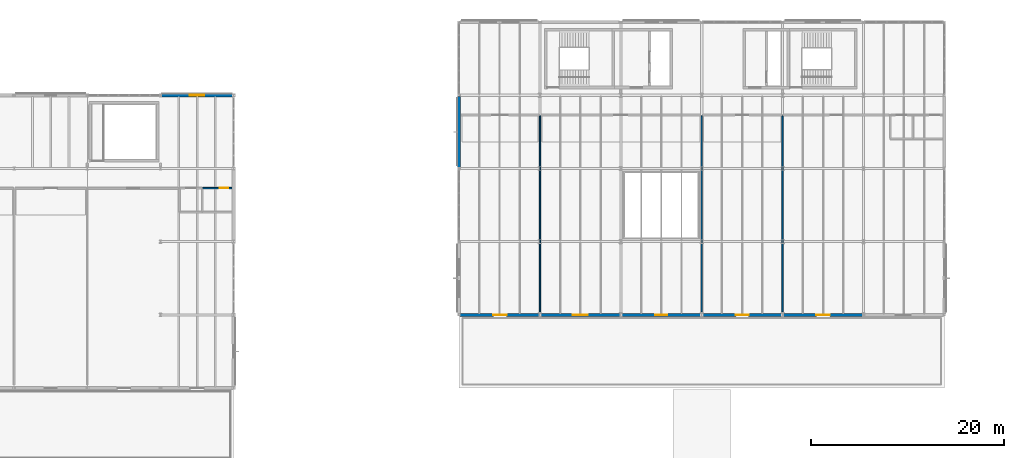
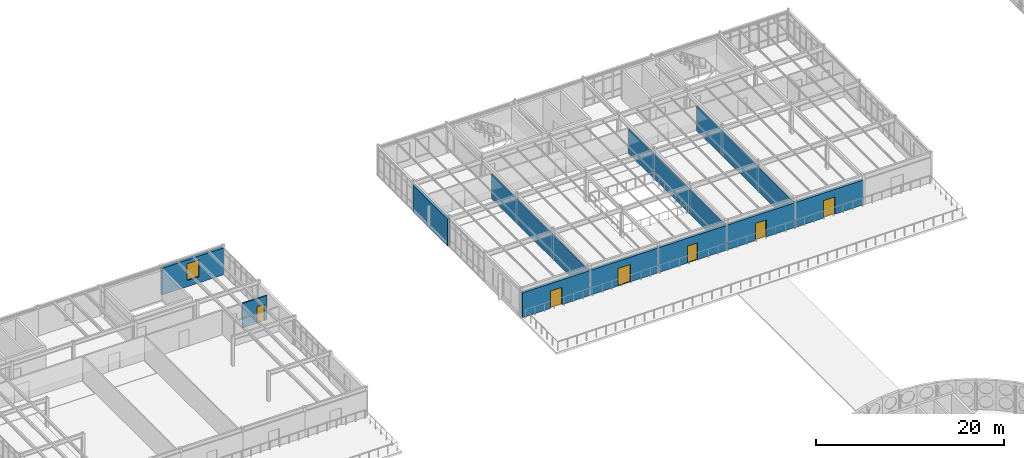
# One storey, part 91 of 114: 11 walls, 6 doors, 1 window, 7 openings.
"""IFC4 building model written with IfcOpenShell, lengths in metres."""

from ifc_helpers import new_model, si_unit, direction, frame, frame_2d, origin, place, context, subcontext, project, spatial, rectangle, extrude, material, layer, layer_set, type_object, element, fill, save


model = new_model("IFC4")

# Units and contexts
model_context = context("Model", 3, precision=1e-05, world=origin(), true_north=direction((0.0, 1.0)))
body_context = subcontext(model_context, "Body", "Model", "MODEL_VIEW")
ifc_project = project(units=[si_unit("LENGTHUNIT", "METRE"), si_unit("AREAUNIT", "SQUARE_METRE"), si_unit("VOLUMEUNIT", "CUBIC_METRE"), si_unit("PLANEANGLEUNIT", "RADIAN"), si_unit("MASSUNIT", "GRAM", prefix="KILO")], contexts=[model_context])

# Site, building, storey
site_placement = place(None, origin())
site = spatial("IfcSite", under=ifc_project, at=site_placement, CompositionType="ELEMENT")
building_placement = place(site_placement, origin())
building = spatial("IfcBuilding", under=site, at=building_placement, Name="Montecoro Central Library", CompositionType="ELEMENT")
storey_placement = place(building_placement, frame((0.0, 0.0, 13.260009765625)))
storey = spatial("IfcBuildingStorey", under=building, at=storey_placement, Name="L03", CompositionType="ELEMENT", Elevation=13.260009765625)

# Wall, opening, door
ifc_material_1 = material(Name="Roman travertine stone clad concrete C35/45", Category="masonry")
ifc_layer_1 = layer(ifc_material_1, 0.324951171875)
ifc_layer_set_1 = layer_set([ifc_layer_1], Name="Roman travertine stone clad concrete C35/45")
wall_type_1 = type_object("IfcWallType", Name="EW-TRV-325", PredefinedType="SOLIDWALL", material=ifc_layer_set_1)
wall_1_placement = place(storey_placement, frame((66.512939453125, 88.60009765625, 0.0), z_axis=(0.0, 0.0, 1.0), x_axis=(1.0, 0.0, 0.0)))
wall_1 = element("IfcWall", 1, at=wall_1_placement, inside=storey, type_object=wall_type_1, Name="V2-L03-EW-S0", PredefinedType="SOLIDWALL", context=body_context, shape_type="SweptSolid", body=[
    extrude(rectangle(XDim=8.281005859375, YDim=0.324951171875, at=frame_2d((4.140625, 0.0))), origin(), (0.0, 0.0, 1.0), 3.219970703125),
])
opening_1_placement = place(wall_1_placement, frame((3.44091796875, 0.0, 0.0)))
opening_1 = element("IfcOpeningElement", 2, at=opening_1_placement, cuts=wall_1, Name="Opening ED-07", PredefinedType="OPENING", context=body_context, shape_type="SweptSolid", body=[
    extrude(rectangle(XDim=1.39990234375, YDim=2.25, at=frame_2d((0.699951171875, 1.125))), frame((0.0, 0.17236328125, 0.0), z_axis=(0.0, -1.0, 0.0), x_axis=(1.0, 0.0, 0.0)), (0.0, 0.0, 1.0), 0.344970703125),
])
ifc_material_2 = material(Name="Thermally broken architectural bronze and safety glass", Category="glass")
door_type_1 = type_object("IfcDoorType", Name="ED-TER-140", OperationType="NOTDEFINED", PredefinedType="DOOR", material=ifc_material_2)
door_1_placement = place(opening_1_placement, origin())
door_1 = element("IfcDoor", 3, at=door_1_placement, inside=storey, type_object=door_type_1, Name="V2-L03-TD-S0", OperationType="SINGLE_SWING_RIGHT", OverallHeight=2.25, OverallWidth=1.39990234375, PredefinedType="DOOR", context=body_context, shape_type="SweptSolid", body=[
    extrude(rectangle(XDim=1.39990234375, YDim=2.25, at=frame_2d((0.699951171875, 1.125))), frame((0.0, 0.02490234375, 0.0), z_axis=(0.0, -1.0, 0.0), x_axis=(1.0, 0.0, 0.0)), (0.0, 0.0, 1.0), 0.050048828125),
])
fill(opening_1, door_1)

wall_2_placement = place(storey_placement, frame((74.805908203125, 88.60009765625, 0.0), z_axis=(0.0, 0.0, 1.0), x_axis=(1.0, 0.0, 0.0)))
wall_2 = element("IfcWall", 4, at=wall_2_placement, inside=storey, type_object=wall_type_1, Name="V2-L03-EW-S1", PredefinedType="SOLIDWALL", context=body_context, shape_type="SweptSolid", body=[
    extrude(rectangle(XDim=8.38818359375, YDim=0.324951171875, at=frame_2d((4.194091796875, 0.0))), origin(), (0.0, 0.0, 1.0), 3.219970703125),
])
opening_2_placement = place(wall_2_placement, frame((3.4189453125, 0.0, 0.0)))
opening_2 = element("IfcOpeningElement", 5, at=opening_2_placement, cuts=wall_2, Name="Opening ED-08", PredefinedType="OPENING", context=body_context, shape_type="SweptSolid", body=[
    extrude(rectangle(XDim=1.550048828125, YDim=2.280029296875, at=frame_2d((0.77490234375, 1.14013671875))), frame((0.0, 0.17236328125, 0.0), z_axis=(0.0, -1.0, 0.0), x_axis=(1.0, 0.0, 0.0)), (0.0, 0.0, 1.0), 0.344970703125),
])
door_type_2 = type_object("IfcDoorType", Name="ED-TER-155", OperationType="NOTDEFINED", PredefinedType="DOOR", material=ifc_material_2)
door_2_placement = place(opening_2_placement, origin())
door_2 = element("IfcDoor", 6, at=door_2_placement, inside=storey, type_object=door_type_2, Name="V2-L03-TD-S1", OperationType="SINGLE_SWING_LEFT", OverallHeight=2.280029296875, OverallWidth=1.550048828125, PredefinedType="DOOR", context=body_context, shape_type="SweptSolid", body=[
    extrude(rectangle(XDim=1.550048828125, YDim=2.280029296875, at=frame_2d((0.77490234375, 1.14013671875))), frame((0.0, 0.02490234375, 0.0), z_axis=(0.0, -1.0, 0.0), x_axis=(1.0, 0.0, 0.0)), (0.0, 0.0, 1.0), 0.050048828125),
])
fill(opening_2, door_2)

wall_3_placement = place(storey_placement, frame((83.2060546875, 88.60009765625, 0.0), z_axis=(0.0, 0.0, 1.0), x_axis=(1.0, 0.0, 0.0)))
wall_3 = element("IfcWall", 7, at=wall_3_placement, inside=storey, type_object=wall_type_1, Name="V2-L03-EW-S2", PredefinedType="SOLIDWALL", context=body_context, shape_type="SweptSolid", body=[
    extrude(rectangle(XDim=8.387939453125, YDim=0.324951171875, at=frame_2d((4.19384765625, 0.0))), origin(), (0.0, 0.0, 1.0), 3.219970703125),
])
opening_3_placement = place(wall_3_placement, frame((3.569091796875, 0.0, 0.0)))
opening_3 = element("IfcOpeningElement", 8, at=opening_3_placement, cuts=wall_3, Name="Opening ED-09", PredefinedType="OPENING", context=body_context, shape_type="SweptSolid", body=[
    extrude(rectangle(XDim=1.25, YDim=2.199951171875, at=frame_2d((0.625, 1.10009765625))), frame((0.0, 0.17236328125, 0.0), z_axis=(0.0, -1.0, 0.0), x_axis=(1.0, 0.0, 0.0)), (0.0, 0.0, 1.0), 0.344970703125),
])
door_type_3 = type_object("IfcDoorType", Name="ED-TER-125", OperationType="NOTDEFINED", PredefinedType="DOOR", material=ifc_material_2)
door_3_placement = place(opening_3_placement, origin())
door_3 = element("IfcDoor", 9, at=door_3_placement, inside=storey, type_object=door_type_3, Name="V2-L03-TD-S2", OperationType="SINGLE_SWING_RIGHT", OverallHeight=2.199951171875, OverallWidth=1.25, PredefinedType="DOOR", context=body_context, shape_type="SweptSolid", body=[
    extrude(rectangle(XDim=1.25, YDim=2.199951171875, at=frame_2d((0.625, 1.10009765625))), frame((0.0, 0.02490234375, 0.0), z_axis=(0.0, -1.0, 0.0), x_axis=(1.0, 0.0, 0.0)), (0.0, 0.0, 1.0), 0.050048828125),
])
fill(opening_3, door_3)

wall_4_placement = place(storey_placement, frame((91.60595703125, 88.60009765625, 0.0), z_axis=(0.0, 0.0, 1.0), x_axis=(1.0, 0.0, 0.0)))
wall_4 = element("IfcWall", 10, at=wall_4_placement, inside=storey, type_object=wall_type_1, Name="V2-L03-EW-S3", PredefinedType="SOLIDWALL", context=body_context, shape_type="SweptSolid", body=[
    extrude(rectangle(XDim=8.387939453125, YDim=0.324951171875, at=frame_2d((4.19384765625, 0.0))), origin(), (0.0, 0.0, 1.0), 3.219970703125),
])
opening_4_placement = place(wall_4_placement, frame((3.533935546875, 0.0, 0.0)))
opening_4 = element("IfcOpeningElement", 11, at=opening_4_placement, cuts=wall_4, Name="Opening ED-10", PredefinedType="OPENING", context=body_context, shape_type="SweptSolid", body=[
    extrude(rectangle(XDim=1.320068359375, YDim=2.219970703125, at=frame_2d((0.66015625, 1.10986328125))), frame((0.0, 0.17236328125, 0.0), z_axis=(0.0, -1.0, 0.0), x_axis=(1.0, 0.0, 0.0)), (0.0, 0.0, 1.0), 0.344970703125),
])
door_type_4 = type_object("IfcDoorType", Name="ED-TER-132", OperationType="NOTDEFINED", PredefinedType="DOOR", material=ifc_material_2)
door_4_placement = place(opening_4_placement, origin())
door_4 = element("IfcDoor", 12, at=door_4_placement, inside=storey, type_object=door_type_4, Name="V2-L03-TD-S3", OperationType="SINGLE_SWING_LEFT", OverallHeight=2.219970703125, OverallWidth=1.320068359375, PredefinedType="DOOR", context=body_context, shape_type="SweptSolid", body=[
    extrude(rectangle(XDim=1.320068359375, YDim=2.219970703125, at=frame_2d((0.66015625, 1.10986328125))), frame((0.0, 0.02490234375, 0.0), z_axis=(0.0, -1.0, 0.0), x_axis=(1.0, 0.0, 0.0)), (0.0, 0.0, 1.0), 0.050048828125),
])
fill(opening_4, door_4)

wall_5_placement = place(storey_placement, frame((100.006103515625, 88.60009765625, 0.0), z_axis=(0.0, 0.0, 1.0), x_axis=(1.0, 0.0, 0.0)))
wall_5 = element("IfcWall", 13, at=wall_5_placement, inside=storey, type_object=wall_type_1, Name="V2-L03-EW-S4", PredefinedType="SOLIDWALL", context=body_context, shape_type="SweptSolid", body=[
    extrude(rectangle(XDim=8.387939453125, YDim=0.324951171875, at=frame_2d((4.19384765625, 0.0))), origin(), (0.0, 0.0, 1.0), 3.219970703125),
])
opening_5_placement = place(wall_5_placement, frame((3.493896484375, 0.0, 0.0)))
opening_5 = element("IfcOpeningElement", 14, at=opening_5_placement, cuts=wall_5, Name="Opening ED-07", PredefinedType="OPENING", context=body_context, shape_type="SweptSolid", body=[
    extrude(rectangle(XDim=1.39990234375, YDim=2.25, at=frame_2d((0.699951171875, 1.125))), frame((0.0, 0.17236328125, 0.0), z_axis=(0.0, -1.0, 0.0), x_axis=(1.0, 0.0, 0.0)), (0.0, 0.0, 1.0), 0.344970703125),
])
door_5_placement = place(opening_5_placement, origin())
door_5 = element("IfcDoor", 15, at=door_5_placement, inside=storey, type_object=door_type_1, Name="V2-L03-TD-S4", OperationType="SINGLE_SWING_RIGHT", OverallHeight=2.25, OverallWidth=1.39990234375, PredefinedType="DOOR", context=body_context, shape_type="SweptSolid", body=[
    extrude(rectangle(XDim=1.39990234375, YDim=2.25, at=frame_2d((0.699951171875, 1.125))), frame((0.0, 0.02490234375, 0.0), z_axis=(0.0, -1.0, 0.0), x_axis=(1.0, 0.0, 0.0)), (0.0, 0.0, 1.0), 0.050048828125),
])
fill(opening_5, door_5)

# Wall
wall_6_placement = place(storey_placement, frame((66.39990234375, 111.287109375, 0.0), z_axis=(0.0, 0.0, 1.0), x_axis=(0.0, -1.0, 0.0)))
element("IfcWall", 16, at=wall_6_placement, inside=storey, type_object=wall_type_1, Name="V2-L03-EW-W2", PredefinedType="SOLIDWALL", context=body_context, shape_type="SweptSolid", body=[
    extrude(rectangle(XDim=7.3740234375, YDim=0.324951171875, at=frame_2d((3.68701171875, 0.0))), origin(), (0.0, 0.0, 1.0), 3.47998046875),
])

# Wall, opening, window
wall_7_placement = place(storey_placement, frame((42.99609375, 111.39990234375, 0.0), z_axis=(0.0, 0.0, 1.0), x_axis=(-1.0, 0.0, 0.0)))
wall_7 = element("IfcWall", 17, at=wall_7_placement, inside=storey, type_object=wall_type_1, Name="V4-L03-EW-N4", PredefinedType="SOLIDWALL", context=body_context, shape_type="SweptSolid", body=[
    extrude(rectangle(XDim=7.592041015625, YDim=0.324951171875, at=frame_2d((3.7958984375, 0.0))), origin(), (0.0, 0.0, 1.0), 3.47998046875),
])
opening_6_placement = place(wall_7_placement, frame((3.0458984375, 0.0, 0.800048828125)))
opening_6 = element("IfcOpeningElement", 18, at=opening_6_placement, cuts=wall_7, Name="Opening WN-16", PredefinedType="OPENING", context=body_context, shape_type="SweptSolid", body=[
    extrude(rectangle(XDim=1.5, YDim=2.179931640625, at=frame_2d((0.75, 1.08984375))), frame((0.0, 0.17236328125, 0.0), z_axis=(0.0, -1.0, 0.0), x_axis=(1.0, 0.0, 0.0)), (0.0, 0.0, 1.0), 0.344970703125),
])
ifc_material_3 = material(Name="Acoustic laminated double glazing", Category="glass")
window_type = type_object("IfcWindowType", Name="WN-AUD-150", PartitioningType="SINGLE_PANEL", PredefinedType="WINDOW", material=ifc_material_3)
window_placement = place(opening_6_placement, origin())
window = element("IfcWindow", 19, at=window_placement, inside=storey, type_object=window_type, Name="V4-L03-WN-N4-1", OverallHeight=2.179931640625, OverallWidth=1.5, PartitioningType="SINGLE_PANEL", PredefinedType="WINDOW", context=body_context, shape_type="SweptSolid", body=[
    extrude(rectangle(XDim=1.5, YDim=2.179931640625, at=frame_2d((0.75, 1.08984375))), frame((0.0, 0.030029296875, 0.0), z_axis=(0.0, -1.0, 0.0), x_axis=(1.0, 0.0, 0.0)), (0.0, 0.0, 1.0), 0.06005859375),
])
fill(opening_6, window)

# Walls
ifc_material_4 = material(Name="Gypsum metal-stud partition")
ifc_layer_2 = layer(ifc_material_4, 0.1201171875)
ifc_layer_set_2 = layer_set([ifc_layer_2], Name="Gypsum metal-stud partition")
wall_type_2 = type_object("IfcWallType", Name="IW-PRT-120", PredefinedType="PARTITIONING", material=ifc_layer_set_2)
wall_8_placement = place(storey_placement, frame((91.60009765625, 88.919921875, 0.0), z_axis=(0.0, 0.0, 1.0), x_axis=(0.0, 1.0, 0.0)))
element("IfcWall", 20, at=wall_8_placement, inside=storey, type_object=wall_type_2, Name="DIVW-V2-L03-02-1", PredefinedType="PARTITIONING", context=body_context, shape_type="SweptSolid", body=[
    extrude(rectangle(XDim=20.340087890625, YDim=0.1201171875, at=frame_2d((10.169921875, 0.0))), origin(), (0.0, 0.0, 1.0), 3.179931640625),
])
ifc_layer_3 = layer(ifc_material_4, 0.139892578125)
ifc_layer_set_3 = layer_set([ifc_layer_3], Name="Gypsum metal-stud partition")
wall_type_3 = type_object("IfcWallType", Name="IW-PRT-140", PredefinedType="PARTITIONING", material=ifc_layer_set_3)
for number, where, z_axis, x_axis, name in (
    (21, (74.800048828125, 88.919921875, 0.0), (0.0, 0.0, 1.0), (0.0, 1.0, 0.0), "DIVW-V2-L03-01-1"),
    (22, (100.0, 88.919921875, 0.0), (0.0, 0.0, 1.0), (0.0, 1.0, 0.0), "DIVW-V2-L03-03-1"),
):
    element("IfcWall", number, at=place(storey_placement, frame(where, z_axis=z_axis, x_axis=x_axis)), inside=storey, type_object=wall_type_3, Name=name, PredefinedType="PARTITIONING", context=body_context, shape_type="SweptSolid", body=[
        extrude(rectangle(XDim=20.340087890625, YDim=0.139892578125, at=frame_2d((10.169921875, 0.0))), origin(), (0.0, 0.0, 1.0), 3.179931640625),
    ])

# Wall, opening, door
ifc_material_5 = material(Name="Moisture-resistant ceramic-tiled partition")
ifc_layer_4 = layer(ifc_material_5, 0.14990234375)
ifc_layer_set_4 = layer_set([ifc_layer_4], Name="Moisture-resistant ceramic-tiled partition")
wall_type_4 = type_object("IfcWallType", Name="IW-WET-150", PredefinedType="PARTITIONING", material=ifc_layer_set_4)
wall_9_placement = place(storey_placement, frame((39.77001953125, 101.75, 0.0), z_axis=(0.0, 0.0, 1.0), x_axis=(1.0, 0.0, 0.0)))
wall_9 = element("IfcWall", 23, at=wall_9_placement, inside=storey, type_object=wall_type_4, Name="WC-V4-L03-WFP", PredefinedType="PARTITIONING", context=body_context, shape_type="SweptSolid", body=[
    extrude(rectangle(XDim=3.030029296875, YDim=0.14990234375, at=frame_2d((1.51513671875, 0.0))), origin(), (0.0, 0.0, 1.0), 3.179931640625),
])
opening_7_placement = place(wall_9_placement, frame((1.780029296875, 0.0, 0.0)))
opening_7 = element("IfcOpeningElement", 24, at=opening_7_placement, cuts=wall_9, Name="Opening ID-16", PredefinedType="OPENING", context=body_context, shape_type="SweptSolid", body=[
    extrude(rectangle(XDim=0.89990234375, YDim=2.14990234375, at=frame_2d((0.449951171875, 1.074951171875))), frame((0.0, 0.0849609375, 0.0), z_axis=(0.0, -1.0, 0.0), x_axis=(1.0, 0.0, 0.0)), (0.0, 0.0, 1.0), 0.169921875),
])
ifc_material_6 = material(Name="Solid oak and fire-rated steel door", Category="steel")
door_type_5 = type_object("IfcDoorType", Name="ID-WC-090", OperationType="NOTDEFINED", PredefinedType="DOOR", material=ifc_material_6)
door_6_placement = place(opening_7_placement, origin())
door_6 = element("IfcDoor", 25, at=door_6_placement, inside=storey, type_object=door_type_5, Name="DR-SP-V4-L03-PWC", OperationType="SINGLE_SWING_RIGHT", OverallHeight=2.14990234375, OverallWidth=0.89990234375, PredefinedType="DOOR", context=body_context, shape_type="SweptSolid", body=[
    extrude(rectangle(XDim=0.89990234375, YDim=2.14990234375, at=frame_2d((0.449951171875, 1.074951171875))), frame((0.0, 0.02490234375, 0.0), z_axis=(0.0, -1.0, 0.0), x_axis=(1.0, 0.0, 0.0)), (0.0, 0.0, 1.0), 0.050048828125),
])
fill(opening_7, door_6)

save(model, "model.ifc")
